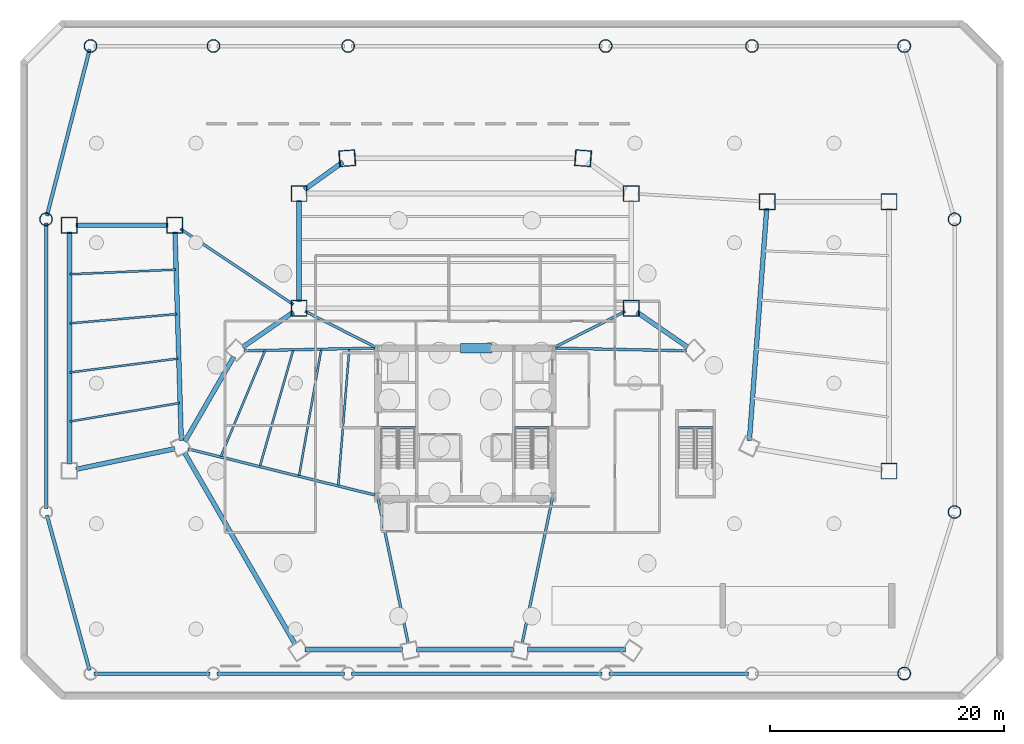
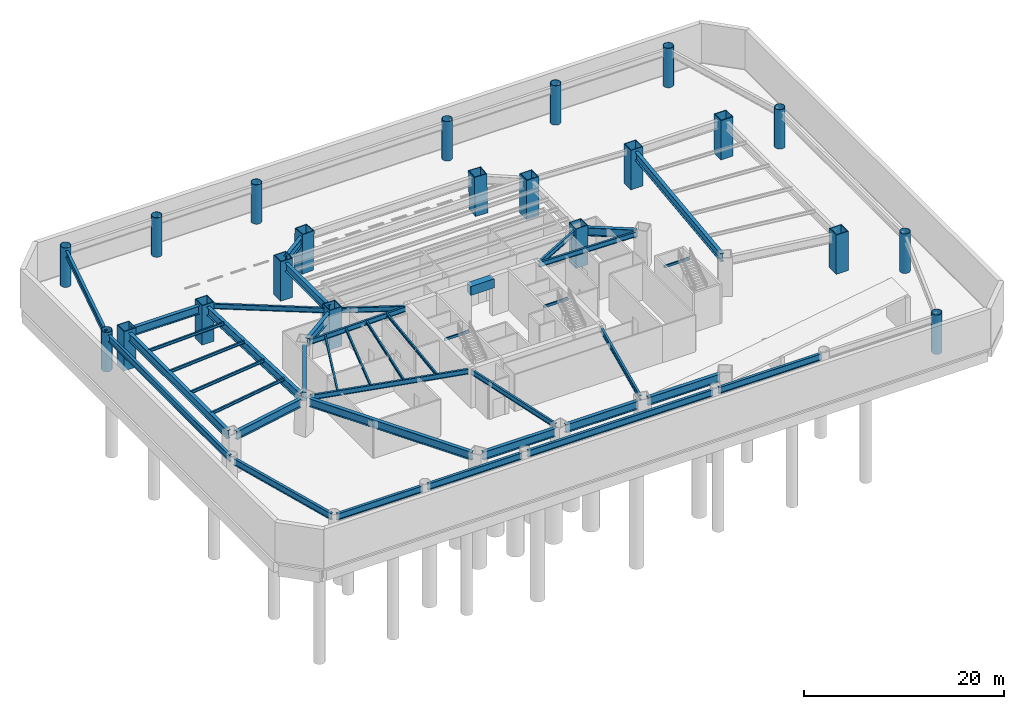
# One storey, part 4 of 11: 41 beams, 21 columns.
"""IFC4 building model written with IfcOpenShell, lengths in metres."""

from ifc_helpers import new_model, si_unit, direction, frame, origin, origin_2d, place, context, subcontext, project, spatial, rectangle, hollow_rectangle, hollow_circle, i_section, extrude, source, transform, mapped, material, material_profile, profile_set, type_object, type_shapes, element, save


model = new_model("IFC4")

# Units and contexts
model_context = context("Model", 3, precision=1e-05, world=origin(), true_north=direction((0.0, 1.0)))
body_context = subcontext(model_context, "Body", "Model", "MODEL_VIEW")
ifc_project = project(units=[si_unit("LENGTHUNIT", "METRE"), si_unit("AREAUNIT", "SQUARE_METRE"), si_unit("VOLUMEUNIT", "CUBIC_METRE"), si_unit("PLANEANGLEUNIT", "RADIAN"), si_unit("MASSUNIT", "GRAM", prefix="KILO")], contexts=[model_context])

# Site, building, storey
site_placement = place(None, origin())
site = spatial("IfcSite", under=ifc_project, at=site_placement, CompositionType="ELEMENT")
building_placement = place(site_placement, origin())
building = spatial("IfcBuilding", under=site, at=building_placement, Name="Caelisora Broadcast Tower", CompositionType="ELEMENT")
storey_placement = place(building_placement, frame((0.0, 0.0, -4.800048828125)))
storey = spatial("IfcBuildingStorey", under=building, at=storey_placement, Name="B1", CompositionType="ELEMENT", Elevation=-4.800048828125)

# Columns
ifc_material_1 = material(Name="Steel Grade 350 L15 (AS/NZS 3678)", Category="steel")
ifc_material_profile_1 = material_profile(ifc_material_1, hollow_rectangle(XDim=1.39990234375, YDim=1.39990234375, WallThickness=0.080078125, at=origin_2d()), Name="Steel Grade 350 L15 (AS/NZS 3678)")
ifc_profile_set_1 = profile_set([ifc_material_profile_1], Name="Steel Grade 350 L15 (AS/NZS 3678)")
column_type_1 = type_object("IfcColumnType", Name="MC01", PredefinedType="COLUMN", material=ifc_profile_set_1)
shared_shape_1 = source(origin(), body_context, "Body", "SweptSolid", [
    extrude(hollow_rectangle(XDim=1.39990234375, YDim=1.39990234375, WallThickness=0.080078125, at=origin_2d()), origin(), (0.0, 0.0, 1.0), 4.801513671875),
])
for number, where, z_axis, x_axis, name in (
    (1, (48.08544921875, 46.215087890625, 0.0), (-0.023898329824, 0.001728815349, 0.999712899301), (-0.072151881533, -0.997393656482, 0.0), "B1 column MC01"),
    (2, (27.91455078125, 46.215087890625, 0.0), (0.023898329824, 0.001728815349, 0.999712899301), (-0.072151881533, 0.997393656482, 0.0), "B1 column MC01"),
):
    element("IfcColumn", number, at=place(storey_placement, frame(where, z_axis=z_axis, x_axis=x_axis)), inside=storey, type_object=column_type_1, Name=name, PredefinedType="COLUMN", context=body_context, shape_type="MappedRepresentation", body=[
        mapped(shared_shape_1, transform((0.0, 0.0, 0.0), scale=1.0)),
    ])
shared_shape_2 = source(origin(), body_context, "Body", "SweptSolid", [
    extrude(hollow_rectangle(XDim=1.39990234375, YDim=1.39990234375, WallThickness=0.080078125, at=origin_2d()), origin(), (0.0, 0.0, 1.0), 4.800048828125),
])
type_shapes(column_type_1, [shared_shape_1, shared_shape_2])
for number, where, z_axis, x_axis, name in (
    (3, (23.81103515625, 33.39990234375, 0.0), (0.0, 0.0, 1.0), (1.0, 0.0, 0.0), "B1 column MC01"),
    (4, (23.81103515625, 43.199951171875, 0.0), (0.0, 0.0, 1.0), (1.0, 0.0, 0.0), "B1 column MC01"),
    (5, (52.18896484375, 33.39990234375, 0.0), (0.0, 0.0, 1.0), (1.0, 0.0, 0.0), "B1 column MC01"),
    (6, (52.18896484375, 43.199951171875, 0.0), (0.0, 0.0, 1.0), (1.0, 0.0, 0.0), "B1 column MC01"),
    (7, (4.199951171875, 40.5, 0.0), (0.0, 0.0, 1.0), (1.0, 0.0, 0.0), "B1 column MC01"),
    (8, (74.199951171875, 19.5, 0.0), (0.0, 0.0, 1.0), (1.0, 0.0, 0.0), "B1 column MC01"),
    (9, (74.199951171875, 42.5, 0.0), (0.0, 0.0, 1.0), (1.0, 0.0, 0.0), "B1 column MC01"),
    (10, (13.199951171875, 40.5, 0.0), (0.0, 0.0, 1.0), (1.0, 0.0, 0.0), "B1 column MC01"),
    (11, (63.800048828125, 42.5, 0.0), (0.0, 0.0, 1.0), (1.0, 0.0, 0.0), "B1 column MC01"),
):
    element("IfcColumn", number, at=place(storey_placement, frame(where, z_axis=z_axis, x_axis=x_axis)), inside=storey, type_object=column_type_1, Name=name, PredefinedType="COLUMN", context=body_context, shape_type="MappedRepresentation", body=[
        mapped(shared_shape_2, transform((0.0, 0.0, 0.0), scale=1.0)),
    ])
ifc_material_profile_2 = material_profile(ifc_material_1, hollow_circle(Radius=0.550048828125, WallThickness=0.044921875, at=origin_2d()), Name="Steel Grade 350 L15 (AS/NZS 3678)")
ifc_profile_set_2 = profile_set([ifc_material_profile_2], Name="Steel Grade 350 L15 (AS/NZS 3678)")
column_type_2 = type_object("IfcColumnType", Name="PC01", PredefinedType="COLUMN", material=ifc_profile_set_2)
shared_shape_3 = source(origin(), body_context, "Body", "SweptSolid", [
    extrude(hollow_circle(Radius=0.550048828125, WallThickness=0.044921875, at=origin_2d()), origin(), (0.0, 0.0, 1.0), 4.800048828125),
])
type_shapes(column_type_2, [shared_shape_3])
for number, where, z_axis, x_axis, name in (
    (12, (75.5, 2.199951171875, 0.0), (0.0, 0.0, 1.0), (1.0, 0.0, 0.0), "B1 column PC01"),
    (13, (6.0, 55.800048828125, 0.0), (0.0, 0.0, 1.0), (1.0, 0.0, 0.0), "B1 column PC01"),
    (14, (16.5, 55.800048828125, 0.0), (0.0, 0.0, 1.0), (1.0, 0.0, 0.0), "B1 column PC01"),
    (15, (28.0, 55.800048828125, 0.0), (0.0, 0.0, 1.0), (1.0, 0.0, 0.0), "B1 column PC01"),
    (16, (50.0, 55.800048828125, 0.0), (0.0, 0.0, 1.0), (1.0, 0.0, 0.0), "B1 column PC01"),
    (17, (62.5, 55.800048828125, 0.0), (0.0, 0.0, 1.0), (1.0, 0.0, 0.0), "B1 column PC01"),
    (18, (75.5, 55.800048828125, 0.0), (0.0, 0.0, 1.0), (1.0, 0.0, 0.0), "B1 column PC01"),
    (19, (2.199951171875, 41.0, 0.0), (0.0, 0.0, 1.0), (1.0, 0.0, 0.0), "B1 column PC01"),
    (20, (79.800048828125, 16.0, 0.0), (0.0, 0.0, 1.0), (1.0, 0.0, 0.0), "B1 column PC01"),
    (21, (79.800048828125, 41.0, 0.0), (0.0, 0.0, 1.0), (1.0, 0.0, 0.0), "B1 column PC01"),
):
    element("IfcColumn", number, at=place(storey_placement, frame(where, z_axis=z_axis, x_axis=x_axis)), inside=storey, type_object=column_type_2, Name=name, PredefinedType="COLUMN", context=body_context, shape_type="MappedRepresentation", body=[
        mapped(shared_shape_3, transform((0.0, 0.0, 0.0), scale=1.0)),
    ])

# Beams
ifc_material_2 = material(Name="Steel Grade 350 (AS/NZS 1163 C350L0)", Category="steel")
ifc_material_profile_3 = material_profile(ifc_material_2, hollow_rectangle(XDim=0.14990234375, YDim=0.300048828125, WallThickness=0.010009765625, at=origin_2d()), Name="Steel Grade 350 (AS/NZS 1163 C350L0)")
ifc_profile_set_3 = profile_set([ifc_material_profile_3], Name="Steel Grade 350 (AS/NZS 1163 C350L0)")
beam_type_1 = type_object("IfcBeamType", Name="SB05", PredefinedType="JOIST", material=ifc_profile_set_3)
shared_shape_4 = source(origin(), body_context, "Body", "SweptSolid", [
    extrude(hollow_rectangle(XDim=0.14990234375, YDim=0.300048828125, WallThickness=0.010009765625, at=origin_2d()), origin(), (0.0, 0.0, 1.0), 2.89990234375),
])
for number, where, z_axis, x_axis, name in (
    (22, (30.840087890625, 23.219970703125, 4.330078125), (1.0, 0.0, 0.0), (0.0, 1.0, 0.0), "B1 beam SB05"),
    (23, (42.260009765625, 23.219970703125, 4.330078125), (1.0, 0.0, 0.0), (0.0, 1.0, 0.0), "B1 beam SB05"),
):
    element("IfcBeam", number, at=place(storey_placement, frame(where, z_axis=z_axis, x_axis=x_axis)), inside=storey, type_object=beam_type_1, Name=name, PredefinedType="JOIST", context=body_context, shape_type="MappedRepresentation", body=[
        mapped(shared_shape_4, transform((0.0, 0.0, 0.0), scale=1.0)),
    ])
ifc_material_3 = material(Name="Concrete 65 MPa (AS 3600 S65)", Category="concrete")
ifc_material_profile_4 = material_profile(ifc_material_3, rectangle(XDim=0.800048828125, YDim=1.10009765625, at=origin_2d()), Name="Concrete 65 MPa (AS 3600 S65)")
ifc_profile_set_4 = profile_set([ifc_material_profile_4], Name="Concrete 65 MPa (AS 3600 S65)")
beam_type_2 = type_object("IfcBeamType", Name="CB01", PredefinedType="LINTEL", material=ifc_profile_set_4)
shared_shape_5 = source(origin(), body_context, "Body", "SweptSolid", [
    extrude(rectangle(XDim=0.800048828125, YDim=1.10009765625, at=origin_2d()), origin(), (0.0, 0.0, 1.0), 2.699951171875),
])
type_shapes(beam_type_2, [shared_shape_5])
beam_1_placement = place(storey_placement, frame((37.60009765625, 30.0, 4.0), z_axis=(1.0, 0.0, 0.0), x_axis=(0.0, 1.0, 0.0)))
element("IfcBeam", 24, at=beam_1_placement, inside=storey, type_object=beam_type_2, Name="B1 beam CB01", PredefinedType="LINTEL", context=body_context, shape_type="MappedRepresentation", body=[
    mapped(shared_shape_5, transform((0.0, 0.0, 0.0), scale=1.0)),
])
shared_shape_6 = source(origin(), body_context, "Body", "SweptSolid", [
    extrude(hollow_rectangle(XDim=0.14990234375, YDim=0.300048828125, WallThickness=0.010009765625, at=origin_2d()), origin(), (0.0, 0.0, 1.0), 2.9599609375),
])
type_shapes(beam_type_1, [shared_shape_4, shared_shape_6])
beam_2_placement = place(storey_placement, frame((56.199951171875, 23.219970703125, 4.330078125), z_axis=(1.0, 0.0, 0.0), x_axis=(0.0, 1.0, 0.0)))
element("IfcBeam", 25, at=beam_2_placement, inside=storey, type_object=beam_type_1, Name="B1 beam SB05", PredefinedType="JOIST", context=body_context, shape_type="MappedRepresentation", body=[
    mapped(shared_shape_6, transform((0.0, 0.0, 0.0), scale=1.0)),
])
ifc_material_4 = material(Name="Steel Grade 350 (AS/NZS 3679.2)", Category="steel")
ifc_material_profile_5 = material_profile(ifc_material_4, i_section(OverallWidth=0.300048828125, OverallDepth=0.800048828125, WebThickness=0.013916015625, FlangeThickness=0.02392578125, at=origin_2d()), Name="Steel Grade 350 (AS/NZS 3679.2)")
ifc_profile_set_5 = profile_set([ifc_material_profile_5], Name="Steel Grade 350 (AS/NZS 3679.2)")
beam_type_3 = type_object("IfcBeamType", Name="PG02", PredefinedType="BEAM", material=ifc_profile_set_5)
shared_shape_7 = source(origin(), body_context, "Body", "SweptSolid", [
    extrude(i_section(OverallWidth=0.300048828125, OverallDepth=0.800048828125, WebThickness=0.013916015625, FlangeThickness=0.02392578125, at=origin_2d()), origin(), (0.0, 0.0, 1.0), 9.89990234375),
])
beam_3_placement = place(storey_placement, frame((6.300048828125, 2.199951171875, 4.080078125), z_axis=(1.0, 0.0, 0.0), x_axis=(0.0, 1.0, 0.0)))
element("IfcBeam", 26, at=beam_3_placement, inside=storey, type_object=beam_type_3, Name="B1 beam PG02", PredefinedType="BEAM", context=body_context, shape_type="MappedRepresentation", body=[
    mapped(shared_shape_7, transform((0.0, 0.0, 0.0), scale=1.0)),
])
shared_shape_8 = source(origin(), body_context, "Body", "SweptSolid", [
    extrude(i_section(OverallWidth=0.300048828125, OverallDepth=0.800048828125, WebThickness=0.013916015625, FlangeThickness=0.02392578125, at=origin_2d()), origin(), (0.0, 0.0, 1.0), 10.89990234375),
])
beam_4_placement = place(storey_placement, frame((16.800048828125, 2.199951171875, 4.080078125), z_axis=(1.0, 0.0, 0.0), x_axis=(0.0, 1.0, 0.0)))
element("IfcBeam", 27, at=beam_4_placement, inside=storey, type_object=beam_type_3, Name="B1 beam PG02", PredefinedType="BEAM", context=body_context, shape_type="MappedRepresentation", body=[
    mapped(shared_shape_8, transform((0.0, 0.0, 0.0), scale=1.0)),
])
shared_shape_9 = source(origin(), body_context, "Body", "SweptSolid", [
    extrude(i_section(OverallWidth=0.300048828125, OverallDepth=0.800048828125, WebThickness=0.013916015625, FlangeThickness=0.02392578125, at=origin_2d()), origin(), (0.0, 0.0, 1.0), 21.39990234375),
])
beam_5_placement = place(storey_placement, frame((28.300048828125, 2.199951171875, 4.080078125), z_axis=(1.0, 0.0, 0.0), x_axis=(0.0, 1.0, 0.0)))
element("IfcBeam", 28, at=beam_5_placement, inside=storey, type_object=beam_type_3, Name="B1 beam PG02", PredefinedType="BEAM", context=body_context, shape_type="MappedRepresentation", body=[
    mapped(shared_shape_9, transform((0.0, 0.0, 0.0), scale=1.0)),
])
shared_shape_10 = source(origin(), body_context, "Body", "SweptSolid", [
    extrude(i_section(OverallWidth=0.300048828125, OverallDepth=0.800048828125, WebThickness=0.013916015625, FlangeThickness=0.02392578125, at=origin_2d()), origin(), (0.0, 0.0, 1.0), 11.89990234375),
])
beam_6_placement = place(storey_placement, frame((50.300048828125, 2.199951171875, 4.080078125), z_axis=(1.0, 0.0, 0.0), x_axis=(0.0, 1.0, 0.0)))
element("IfcBeam", 29, at=beam_6_placement, inside=storey, type_object=beam_type_3, Name="B1 beam PG02", PredefinedType="BEAM", context=body_context, shape_type="MappedRepresentation", body=[
    mapped(shared_shape_10, transform((0.0, 0.0, 0.0), scale=1.0)),
])
shared_shape_11 = source(origin(), body_context, "Body", "SweptSolid", [
    extrude(i_section(OverallWidth=0.300048828125, OverallDepth=0.800048828125, WebThickness=0.013916015625, FlangeThickness=0.02392578125, at=origin_2d()), origin(), (0.0, 0.0, 1.0), 13.713623046875),
])
beam_7_placement = place(storey_placement, frame((5.92041015625, 2.4892578125, 4.080078125), z_axis=(-0.265493696589, 0.96411259564, 0.0), x_axis=(-0.96411259564, -0.265493696589, 0.0)))
element("IfcBeam", 30, at=beam_7_placement, inside=storey, type_object=beam_type_3, Name="B1 beam PG02", PredefinedType="BEAM", context=body_context, shape_type="MappedRepresentation", body=[
    mapped(shared_shape_11, transform((0.0, 0.0, 0.0), scale=1.0)),
])
shared_shape_12 = source(origin(), body_context, "Body", "SweptSolid", [
    extrude(i_section(OverallWidth=0.300048828125, OverallDepth=0.800048828125, WebThickness=0.013916015625, FlangeThickness=0.02392578125, at=origin_2d()), origin(), (0.0, 0.0, 1.0), 24.39990234375),
])
beam_8_placement = place(storey_placement, frame((2.199951171875, 16.300048828125, 4.080078125), z_axis=(0.0, 1.0, 0.0), x_axis=(-1.0, 0.0, 0.0)))
element("IfcBeam", 31, at=beam_8_placement, inside=storey, type_object=beam_type_3, Name="B1 beam PG02", PredefinedType="BEAM", context=body_context, shape_type="MappedRepresentation", body=[
    mapped(shared_shape_12, transform((0.0, 0.0, 0.0), scale=1.0)),
])
shared_shape_13 = source(origin(), body_context, "Body", "SweptSolid", [
    extrude(i_section(OverallWidth=0.300048828125, OverallDepth=0.800048828125, WebThickness=0.013916015625, FlangeThickness=0.02392578125, at=origin_2d()), origin(), (0.0, 0.0, 1.0), 14.68017578125),
])
type_shapes(beam_type_3, [shared_shape_7, shared_shape_8, shared_shape_9, shared_shape_10, shared_shape_11, shared_shape_12, shared_shape_13])
beam_9_placement = place(storey_placement, frame((2.274658203125, 41.29052734375, 4.080078125), z_axis=(0.248678229499, 0.968586154234, 0.0), x_axis=(-0.968586154234, 0.248678229499, 0.0)))
element("IfcBeam", 32, at=beam_9_placement, inside=storey, type_object=beam_type_3, Name="B1 beam PG02", PredefinedType="BEAM", context=body_context, shape_type="MappedRepresentation", body=[
    mapped(shared_shape_13, transform((0.0, 0.0, 0.0), scale=1.0)),
])
ifc_material_profile_6 = material_profile(ifc_material_4, i_section(OverallWidth=0.39990234375, OverallDepth=1.0, WebThickness=0.01611328125, FlangeThickness=0.028076171875, at=origin_2d()), Name="Steel Grade 350 (AS/NZS 3679.2)")
ifc_profile_set_6 = profile_set([ifc_material_profile_6], Name="Steel Grade 350 (AS/NZS 3679.2)")
beam_type_4 = type_object("IfcBeamType", Name="PG01", PredefinedType="BEAM", material=ifc_profile_set_6)
shared_shape_14 = source(origin(), body_context, "Body", "SweptSolid", [
    extrude(i_section(OverallWidth=0.39990234375, OverallDepth=1.0, WebThickness=0.01611328125, FlangeThickness=0.028076171875, at=origin_2d()), origin(), (0.0, 0.0, 1.0), 4.02978515625),
])
beam_10_placement = place(storey_placement, frame((27.557861328125, 45.885498046875, 3.97998046875), z_axis=(-0.812782704199, -0.582566971048, 0.0), x_axis=(0.582566971048, -0.812782704199, 0.0)))
element("IfcBeam", 33, at=beam_10_placement, inside=storey, type_object=beam_type_4, Name="B1 beam PG01", PredefinedType="BEAM", context=body_context, shape_type="MappedRepresentation", body=[
    mapped(shared_shape_14, transform((0.0, 0.0, 0.0), scale=1.0)),
])
shared_shape_15 = source(origin(), body_context, "Body", "SweptSolid", [
    extrude(i_section(OverallWidth=0.39990234375, OverallDepth=1.0, WebThickness=0.01611328125, FlangeThickness=0.028076171875, at=origin_2d()), origin(), (0.0, 0.0, 1.0), 5.262451171875),
])
for number, where, z_axis, x_axis, name in (
    (34, (23.33349609375, 33.071044921875, 3.97998046875), (-0.823517715307, -0.567290553928, 0.0), (0.567290553928, -0.823517715307, 0.0), "B1 beam PG01"),
    (35, (57.000244140625, 30.085693359375, 3.97998046875), (-0.823517715307, 0.567290553928, 0.0), (-0.567290553928, -0.823517715307, 0.0), "B1 beam PG01"),
):
    element("IfcBeam", number, at=place(storey_placement, frame(where, z_axis=z_axis, x_axis=x_axis)), inside=storey, type_object=beam_type_4, Name=name, PredefinedType="BEAM", context=body_context, shape_type="MappedRepresentation", body=[
        mapped(shared_shape_15, transform((0.0, 0.0, 0.0), scale=1.0)),
    ])
shared_shape_16 = source(origin(), body_context, "Body", "SweptSolid", [
    extrude(i_section(OverallWidth=0.39990234375, OverallDepth=1.0, WebThickness=0.01611328125, FlangeThickness=0.028076171875, at=origin_2d()), origin(), (0.0, 0.0, 1.0), 8.347412109375),
])
beam_11_placement = place(storey_placement, frame((18.232177734375, 29.25439453125, 3.97998046875), z_axis=(-0.499992509511, -0.866029728377, 0.0), x_axis=(0.866029728377, -0.499992509511, 0.0)))
element("IfcBeam", 36, at=beam_11_placement, inside=storey, type_object=beam_type_4, Name="B1 beam PG01", PredefinedType="BEAM", context=body_context, shape_type="MappedRepresentation", body=[
    mapped(shared_shape_16, transform((0.0, 0.0, 0.0), scale=1.0)),
])
shared_shape_17 = source(origin(), body_context, "Body", "SweptSolid", [
    extrude(i_section(OverallWidth=0.39990234375, OverallDepth=1.0, WebThickness=0.01611328125, FlangeThickness=0.028076171875, at=origin_2d()), origin(), (0.0, 0.0, 1.0), 18.781494140625),
])
beam_12_placement = place(storey_placement, frame((14.05859375, 21.02099609375, 3.97998046875), z_axis=(0.499992132511, -0.866029946034, 0.0), x_axis=(0.866029946034, 0.499992132511, 0.0)))
element("IfcBeam", 37, at=beam_12_placement, inside=storey, type_object=beam_type_4, Name="B1 beam PG01", PredefinedType="BEAM", context=body_context, shape_type="MappedRepresentation", body=[
    mapped(shared_shape_17, transform((0.0, 0.0, 0.0), scale=1.0)),
])
shared_shape_18 = source(origin(), body_context, "Body", "SweptSolid", [
    extrude(i_section(OverallWidth=0.39990234375, OverallDepth=1.0, WebThickness=0.01611328125, FlangeThickness=0.028076171875, at=origin_2d()), origin(), (0.0, 0.0, 1.0), 8.34716796875),
])
for number, where, z_axis, x_axis, name in (
    (38, (24.319091796875, 4.25341796875, 3.97998046875), (1.0, 0.0, 0.0), (0.0, 1.0, 0.0), "B1 beam PG01"),
    (39, (33.826416015625, 4.25341796875, 3.97998046875), (1.0, 0.0, 0.0), (0.0, 1.0, 0.0), "B1 beam PG01"),
    (40, (43.333740234375, 4.25341796875, 3.97998046875), (1.0, 0.0, 0.0), (0.0, 1.0, 0.0), "B1 beam PG01"),
):
    element("IfcBeam", number, at=place(storey_placement, frame(where, z_axis=z_axis, x_axis=x_axis)), inside=storey, type_object=beam_type_4, Name=name, PredefinedType="BEAM", context=body_context, shape_type="MappedRepresentation", body=[
        mapped(shared_shape_18, transform((0.0, 0.0, 0.0), scale=1.0)),
    ])
ifc_material_5 = material(Name="Steel Grade 350 (AS/NZS 3679.1)", Category="steel")
ifc_material_profile_7 = material_profile(ifc_material_5, i_section(OverallWidth=0.22900390625, OverallDepth=0.611572265625, WebThickness=0.011962890625, FlangeThickness=0.01953125, at=origin_2d()), Name="Steel Grade 350 (AS/NZS 3679.1)")
ifc_profile_set_7 = profile_set([ifc_material_profile_7], Name="Steel Grade 350 (AS/NZS 3679.1)")
beam_type_5 = type_object("IfcBeamType", Name="PG03", PredefinedType="BEAM", material=ifc_profile_set_7)
shared_shape_19 = source(origin(), body_context, "Body", "SweptSolid", [
    extrude(i_section(OverallWidth=0.22900390625, OverallDepth=0.611572265625, WebThickness=0.011962890625, FlangeThickness=0.01953125, at=origin_2d()), origin(), (0.0, 0.0, 1.0), 16.451904296875),
])
beam_13_placement = place(storey_placement, frame((30.305908203125, 17.447998046875, 4.17431640625), z_axis=(-0.970952321529, 0.239273043441, 0.0), x_axis=(-0.239273043441, -0.970952321529, 0.0)))
element("IfcBeam", 41, at=beam_13_placement, inside=storey, type_object=beam_type_5, Name="B1 beam PG03", PredefinedType="BEAM", context=body_context, shape_type="MappedRepresentation", body=[
    mapped(shared_shape_19, transform((0.0, 0.0, 0.0), scale=1.0)),
])
shared_shape_20 = source(origin(), body_context, "Body", "SweptSolid", [
    extrude(i_section(OverallWidth=0.22900390625, OverallDepth=0.611572265625, WebThickness=0.011962890625, FlangeThickness=0.01953125, at=origin_2d()), origin(), (0.0, 0.0, 1.0), 12.650390625),
])
for number, where, z_axis, x_axis, name in (
    (42, (30.541015625, 17.2041015625, 4.17431640625), (0.2044744352, -0.978871904464, 0.0), (0.978871904464, 0.2044744352, 0.0), "B1 beam PG03"),
    (43, (45.458984375, 17.2041015625, 4.17431640625), (-0.2044744352, -0.978871904464, 0.0), (0.978871904464, -0.2044744352, 0.0), "B1 beam PG03"),
):
    element("IfcBeam", number, at=place(storey_placement, frame(where, z_axis=z_axis, x_axis=x_axis)), inside=storey, type_object=beam_type_5, Name=name, PredefinedType="BEAM", context=body_context, shape_type="MappedRepresentation", body=[
        mapped(shared_shape_20, transform((0.0, 0.0, 0.0), scale=1.0)),
    ])
shared_shape_21 = source(origin(), body_context, "Body", "SweptSolid", [
    extrude(i_section(OverallWidth=0.22900390625, OverallDepth=0.611572265625, WebThickness=0.011962890625, FlangeThickness=0.01953125, at=origin_2d()), origin(), (0.0, 0.0, 1.0), 6.7236328125),
])
for number, where, z_axis, x_axis, name in (
    (44, (45.67822265625, 30.090576171875, 4.17431640625), (0.891452005552, 0.453115130841, 0.0), (-0.453115130841, 0.891452005552, 0.0), "B1 beam PG03"),
    (45, (30.32177734375, 30.090576171875, 4.17431640625), (-0.891452005552, 0.453115130841, 0.0), (-0.453115130841, -0.891452005552, 0.0), "B1 beam PG03"),
):
    element("IfcBeam", number, at=place(storey_placement, frame(where, z_axis=z_axis, x_axis=x_axis)), inside=storey, type_object=beam_type_5, Name=name, PredefinedType="BEAM", context=body_context, shape_type="MappedRepresentation", body=[
        mapped(shared_shape_21, transform((0.0, 0.0, 0.0), scale=1.0)),
    ])
shared_shape_22 = source(origin(), body_context, "Body", "SweptSolid", [
    extrude(i_section(OverallWidth=0.22900390625, OverallDepth=0.611572265625, WebThickness=0.011962890625, FlangeThickness=0.01953125, at=origin_2d()), origin(), (0.0, 0.0, 1.0), 11.2001953125),
])
for number, where, z_axis, x_axis, name in (
    (46, (45.699951171875, 29.995849609375, 4.17431640625), (0.999793620433, -0.020315426216, 0.0), (0.020315426216, 0.999793620433, 0.0), "B1 beam PG03"),
    (47, (19.10205078125, 29.768310546875, 4.17431640625), (0.999793620433, 0.020315426216, 0.0), (-0.020315426216, 0.999793620433, 0.0), "B1 beam PG03"),
):
    element("IfcBeam", number, at=place(storey_placement, frame(where, z_axis=z_axis, x_axis=x_axis)), inside=storey, type_object=beam_type_5, Name=name, PredefinedType="BEAM", context=body_context, shape_type="MappedRepresentation", body=[
        mapped(shared_shape_22, transform((0.0, 0.0, 0.0), scale=1.0)),
    ])
shared_shape_23 = source(origin(), body_context, "Body", "SweptSolid", [
    extrude(i_section(OverallWidth=0.39990234375, OverallDepth=1.0, WebThickness=0.01611328125, FlangeThickness=0.028076171875, at=origin_2d()), origin(), (0.0, 0.0, 1.0), 8.614501953125),
])
beam_14_placement = place(storey_placement, frame((4.767822265625, 19.64453125, 3.97998046875), z_axis=(0.978901361372, 0.204333366593, 0.0), x_axis=(-0.204333366593, 0.978901361372, 0.0)))
element("IfcBeam", 48, at=beam_14_placement, inside=storey, type_object=beam_type_4, Name="B1 beam PG01", PredefinedType="BEAM", context=body_context, shape_type="MappedRepresentation", body=[
    mapped(shared_shape_23, transform((0.0, 0.0, 0.0), scale=1.0)),
])
shared_shape_24 = source(origin(), body_context, "Body", "SweptSolid", [
    extrude(i_section(OverallWidth=0.39990234375, OverallDepth=1.0, WebThickness=0.01611328125, FlangeThickness=0.028076171875, at=origin_2d()), origin(), (0.0, 0.0, 1.0), 7.840087890625),
])
beam_15_placement = place(storey_placement, frame((4.780029296875, 40.5, 3.97998046875), z_axis=(1.0, 0.0, 0.0), x_axis=(0.0, 1.0, 0.0)))
element("IfcBeam", 49, at=beam_15_placement, inside=storey, type_object=beam_type_4, Name="B1 beam PG01", PredefinedType="BEAM", context=body_context, shape_type="MappedRepresentation", body=[
    mapped(shared_shape_24, transform((0.0, 0.0, 0.0), scale=1.0)),
])
shared_shape_25 = source(origin(), body_context, "Body", "SweptSolid", [
    extrude(i_section(OverallWidth=0.39990234375, OverallDepth=1.0, WebThickness=0.01611328125, FlangeThickness=0.028076171875, at=origin_2d()), origin(), (0.0, 0.0, 1.0), 19.81396484375),
])
beam_16_placement = place(storey_placement, frame((4.199951171875, 20.10595703125, 3.97998046875), z_axis=(0.0, 1.0, 0.0), x_axis=(-1.0, 0.0, 0.0)))
element("IfcBeam", 50, at=beam_16_placement, inside=storey, type_object=beam_type_4, Name="B1 beam PG01", PredefinedType="BEAM", context=body_context, shape_type="MappedRepresentation", body=[
    mapped(shared_shape_25, transform((0.0, 0.0, 0.0), scale=1.0)),
])
shared_shape_26 = source(origin(), body_context, "Body", "SweptSolid", [
    extrude(i_section(OverallWidth=0.22900390625, OverallDepth=0.611572265625, WebThickness=0.011962890625, FlangeThickness=0.01953125, at=origin_2d()), origin(), (0.0, 0.0, 1.0), 11.607666015625),
])
type_shapes(beam_type_5, [shared_shape_19, shared_shape_20, shared_shape_21, shared_shape_22, shared_shape_26])
beam_17_placement = place(storey_placement, frame((13.681884765625, 40.177490234375, 4.17431640625), z_axis=(0.831110717698, -0.556106981549, 0.0), x_axis=(0.556106981549, 0.831110717698, 0.0)))
element("IfcBeam", 51, at=beam_17_placement, inside=storey, type_object=beam_type_5, Name="B1 beam PG03", PredefinedType="BEAM", context=body_context, shape_type="MappedRepresentation", body=[
    mapped(shared_shape_26, transform((0.0, 0.0, 0.0), scale=1.0)),
])
shared_shape_27 = source(origin(), body_context, "Body", "SweptSolid", [
    extrude(i_section(OverallWidth=0.39990234375, OverallDepth=1.0, WebThickness=0.01611328125, FlangeThickness=0.028076171875, at=origin_2d()), origin(), (0.0, 0.0, 1.0), 17.82568359375),
])
beam_18_placement = place(storey_placement, frame((13.751220703125, 22.102783203125, 3.97998046875), z_axis=(-0.029953257618, 0.999551300513, 0.0), x_axis=(-0.999551300513, -0.029953257618, 0.0)))
element("IfcBeam", 52, at=beam_18_placement, inside=storey, type_object=beam_type_4, Name="B1 beam PG01", PredefinedType="BEAM", context=body_context, shape_type="MappedRepresentation", body=[
    mapped(shared_shape_27, transform((0.0, 0.0, 0.0), scale=1.0)),
])
shared_shape_28 = source(origin(), body_context, "Body", "SweptSolid", [
    extrude(i_section(OverallWidth=0.39990234375, OverallDepth=1.0, WebThickness=0.01611328125, FlangeThickness=0.028076171875, at=origin_2d()), origin(), (0.0, 0.0, 1.0), 19.87548828125),
])
beam_19_placement = place(storey_placement, frame((62.274658203125, 22.1015625, 3.97998046875), z_axis=(0.074573438395, 0.997215524491, 0.0), x_axis=(-0.997215524491, 0.074573438395, 0.0)))
element("IfcBeam", 53, at=beam_19_placement, inside=storey, type_object=beam_type_4, Name="B1 beam PG01", PredefinedType="BEAM", context=body_context, shape_type="MappedRepresentation", body=[
    mapped(shared_shape_28, transform((0.0, 0.0, 0.0), scale=1.0)),
])
shared_shape_29 = source(origin(), body_context, "Body", "SweptSolid", [
    extrude(i_section(OverallWidth=0.39990234375, OverallDepth=1.0, WebThickness=0.01611328125, FlangeThickness=0.028076171875, at=origin_2d()), origin(), (0.0, 0.0, 1.0), 8.64013671875),
])
type_shapes(beam_type_4, [shared_shape_14, shared_shape_15, shared_shape_16, shared_shape_17, shared_shape_18, shared_shape_23, shared_shape_24, shared_shape_25, shared_shape_27, shared_shape_28, shared_shape_29])
beam_20_placement = place(storey_placement, frame((23.81103515625, 33.97998046875, 3.97998046875), z_axis=(0.0, 1.0, 0.0), x_axis=(-1.0, 0.0, 0.0)))
element("IfcBeam", 54, at=beam_20_placement, inside=storey, type_object=beam_type_4, Name="B1 beam PG01", PredefinedType="BEAM", context=body_context, shape_type="MappedRepresentation", body=[
    mapped(shared_shape_29, transform((0.0, 0.0, 0.0), scale=1.0)),
])
ifc_material_profile_8 = material_profile(ifc_material_5, i_section(OverallWidth=0.172119140625, OverallDepth=0.358642578125, WebThickness=0.008056640625, FlangeThickness=0.012939453125, at=origin_2d()), Name="Steel Grade 350 (AS/NZS 3679.1)")
ifc_profile_set_8 = profile_set([ifc_material_profile_8], Name="Steel Grade 350 (AS/NZS 3679.1)")
beam_type_6 = type_object("IfcBeamType", Name="SB02", PredefinedType="JOIST", material=ifc_profile_set_8)
shared_shape_30 = source(origin(), body_context, "Body", "SweptSolid", [
    extrude(i_section(OverallWidth=0.172119140625, OverallDepth=0.358642578125, WebThickness=0.008056640625, FlangeThickness=0.012939453125, at=origin_2d()), origin(), (0.0, 0.0, 1.0), 9.7490234375),
])
beam_21_placement = place(storey_placement, frame((17.137939453125, 20.75390625, 4.30078125), z_axis=(0.385333655852, 0.922777315319, 0.0), x_axis=(-0.922777315319, 0.385333655852, 0.0)))
element("IfcBeam", 55, at=beam_21_placement, inside=storey, type_object=beam_type_6, Name="B1 beam SB02", PredefinedType="JOIST", context=body_context, shape_type="MappedRepresentation", body=[
    mapped(shared_shape_30, transform((0.0, 0.0, 0.0), scale=1.0)),
])
shared_shape_31 = source(origin(), body_context, "Body", "SweptSolid", [
    extrude(i_section(OverallWidth=0.172119140625, OverallDepth=0.358642578125, WebThickness=0.008056640625, FlangeThickness=0.012939453125, at=origin_2d()), origin(), (0.0, 0.0, 1.0), 10.259765625),
])
beam_22_placement = place(storey_placement, frame((20.4775390625, 19.931640625, 4.30078125), z_axis=(0.274796555978, 0.961502393561, 0.0), x_axis=(-0.961502393561, 0.274796555978, 0.0)))
element("IfcBeam", 56, at=beam_22_placement, inside=storey, type_object=beam_type_6, Name="B1 beam SB02", PredefinedType="JOIST", context=body_context, shape_type="MappedRepresentation", body=[
    mapped(shared_shape_31, transform((0.0, 0.0, 0.0), scale=1.0)),
])
shared_shape_32 = source(origin(), body_context, "Body", "SweptSolid", [
    extrude(i_section(OverallWidth=0.172119140625, OverallDepth=0.358642578125, WebThickness=0.008056640625, FlangeThickness=0.012939453125, at=origin_2d()), origin(), (0.0, 0.0, 1.0), 10.898681640625),
])
beam_23_placement = place(storey_placement, frame((23.81787109375, 19.1083984375, 4.30078125), z_axis=(0.172555842962, 0.984999736579, 0.0), x_axis=(-0.984999736579, 0.172555842962, 0.0)))
element("IfcBeam", 57, at=beam_23_placement, inside=storey, type_object=beam_type_6, Name="B1 beam SB02", PredefinedType="JOIST", context=body_context, shape_type="MappedRepresentation", body=[
    mapped(shared_shape_32, transform((0.0, 0.0, 0.0), scale=1.0)),
])
shared_shape_33 = source(origin(), body_context, "Body", "SweptSolid", [
    extrude(i_section(OverallWidth=0.172119140625, OverallDepth=0.358642578125, WebThickness=0.008056640625, FlangeThickness=0.012939453125, at=origin_2d()), origin(), (0.0, 0.0, 1.0), 11.645263671875),
])
beam_24_placement = place(storey_placement, frame((27.158447265625, 18.284423828125, 4.30078125), z_axis=(0.080819246256, 0.996728774258, 0.0), x_axis=(-0.996728774258, 0.080819246256, 0.0)))
element("IfcBeam", 58, at=beam_24_placement, inside=storey, type_object=beam_type_6, Name="B1 beam SB02", PredefinedType="JOIST", context=body_context, shape_type="MappedRepresentation", body=[
    mapped(shared_shape_33, transform((0.0, 0.0, 0.0), scale=1.0)),
])
shared_shape_34 = source(origin(), body_context, "Body", "SweptSolid", [
    extrude(i_section(OverallWidth=0.172119140625, OverallDepth=0.358642578125, WebThickness=0.008056640625, FlangeThickness=0.012939453125, at=origin_2d()), origin(), (0.0, 0.0, 1.0), 9.46875),
])
beam_25_placement = place(storey_placement, frame((4.25927734375, 23.730712890625, 4.30078125), z_axis=(0.986017863641, 0.166639648886, 0.0), x_axis=(-0.166639648886, 0.986017863641, 0.0)))
element("IfcBeam", 59, at=beam_25_placement, inside=storey, type_object=beam_type_6, Name="B1 beam SB02", PredefinedType="JOIST", context=body_context, shape_type="MappedRepresentation", body=[
    mapped(shared_shape_34, transform((0.0, 0.0, 0.0), scale=1.0)),
])
shared_shape_35 = source(origin(), body_context, "Body", "SweptSolid", [
    extrude(i_section(OverallWidth=0.172119140625, OverallDepth=0.358642578125, WebThickness=0.008056640625, FlangeThickness=0.012939453125, at=origin_2d()), origin(), (0.0, 0.0, 1.0), 9.2978515625),
])
beam_26_placement = place(storey_placement, frame((4.259521484375, 27.923095703125, 4.30078125), z_axis=(0.991871130895, 0.127246452595, 0.0), x_axis=(-0.127246452595, 0.991871130895, 0.0)))
element("IfcBeam", 60, at=beam_26_placement, inside=storey, type_object=beam_type_6, Name="B1 beam SB02", PredefinedType="JOIST", context=body_context, shape_type="MappedRepresentation", body=[
    mapped(shared_shape_35, transform((0.0, 0.0, 0.0), scale=1.0)),
])
shared_shape_36 = source(origin(), body_context, "Body", "SweptSolid", [
    extrude(i_section(OverallWidth=0.172119140625, OverallDepth=0.358642578125, WebThickness=0.008056640625, FlangeThickness=0.012939453125, at=origin_2d()), origin(), (0.0, 0.0, 1.0), 9.14208984375),
])
beam_27_placement = place(storey_placement, frame((4.259765625, 32.115478515625, 4.30078125), z_axis=(0.996272786063, 0.086258540154, 0.0), x_axis=(-0.086258540154, 0.996272786063, 0.0)))
element("IfcBeam", 61, at=beam_27_placement, inside=storey, type_object=beam_type_6, Name="B1 beam SB02", PredefinedType="JOIST", context=body_context, shape_type="MappedRepresentation", body=[
    mapped(shared_shape_36, transform((0.0, 0.0, 0.0), scale=1.0)),
])
shared_shape_37 = source(origin(), body_context, "Body", "SweptSolid", [
    extrude(i_section(OverallWidth=0.172119140625, OverallDepth=0.358642578125, WebThickness=0.008056640625, FlangeThickness=0.012939453125, at=origin_2d()), origin(), (0.0, 0.0, 1.0), 9.00244140625),
])
type_shapes(beam_type_6, [shared_shape_30, shared_shape_31, shared_shape_32, shared_shape_33, shared_shape_34, shared_shape_35, shared_shape_36, shared_shape_37])
beam_28_placement = place(storey_placement, frame((4.260009765625, 36.307861328125, 4.30078125), z_axis=(0.999041622248, 0.043770275477, 0.0), x_axis=(-0.043770275477, 0.999041622248, 0.0)))
element("IfcBeam", 62, at=beam_28_placement, inside=storey, type_object=beam_type_6, Name="B1 beam SB02", PredefinedType="JOIST", context=body_context, shape_type="MappedRepresentation", body=[
    mapped(shared_shape_37, transform((0.0, 0.0, 0.0), scale=1.0)),
])

save(model, "model.ifc")
